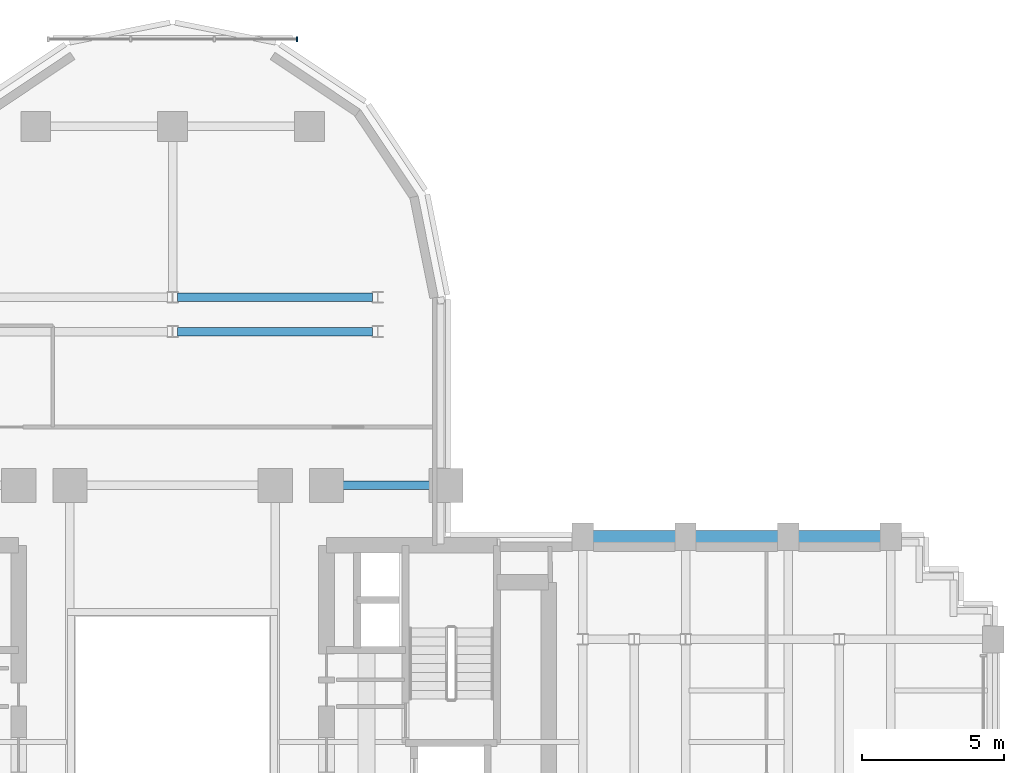
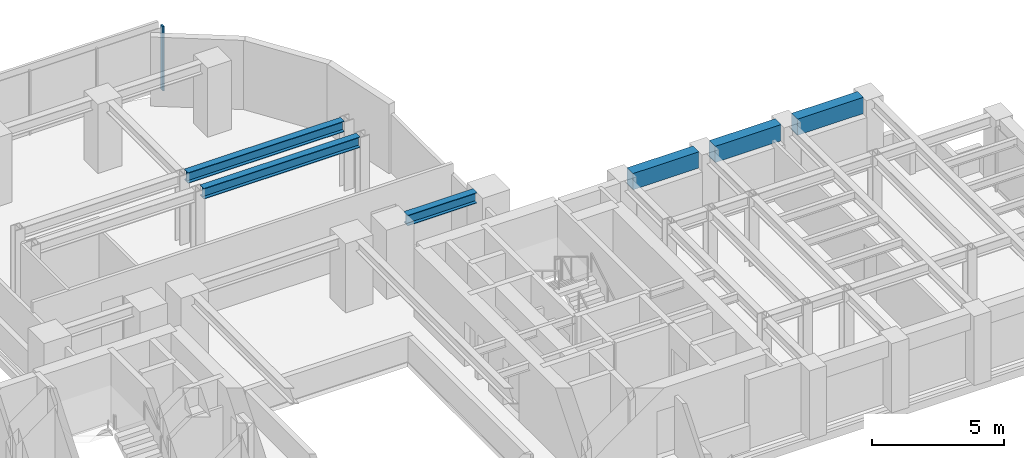
# One storey, part 8 of 16: 6 beams, 1 member, 1 element without a shape of its own.
"""IFC4 building model written with IfcOpenShell, lengths in metres."""

from ifc_helpers import new_model, si_unit, direction, frame, origin, origin_2d, place, context, subcontext, project, spatial, rectangle, i_section, extrude, source, transform, mapped, material, material_profile, profile_set, type_object, element, aggregate, save


model = new_model("IFC4")

# Units and contexts
model_context = context("Model", 3, precision=1e-05, world=origin(), true_north=direction((0.0, 1.0)))
body_context = subcontext(model_context, "Body", "Model", "MODEL_VIEW")
ifc_project = project(units=[si_unit("LENGTHUNIT", "METRE"), si_unit("AREAUNIT", "SQUARE_METRE"), si_unit("VOLUMEUNIT", "CUBIC_METRE"), si_unit("PLANEANGLEUNIT", "RADIAN"), si_unit("MASSUNIT", "GRAM", prefix="KILO")], contexts=[model_context])

# Site, building, storey
site_placement = place(None, origin())
site = spatial("IfcSite", under=ifc_project, at=site_placement, CompositionType="ELEMENT")
building_placement = place(site_placement, origin())
building = spatial("IfcBuilding", under=site, at=building_placement, Name="Keilestroom Media Tower", CompositionType="ELEMENT")
storey_placement = place(building_placement, frame((0.0, 0.0, 54.39990234375)))
storey = spatial("IfcBuildingStorey", under=building, at=storey_placement, Name="L13", CompositionType="ELEMENT", Elevation=54.39990234375)

# Beams
ifc_material_1 = material(Name="Precast concrete C40/50", Category="concrete")
ifc_material_profile_1 = material_profile(ifc_material_1, rectangle(XDim=0.449951171875, YDim=0.75, at=origin_2d()), Name="PC 450x750")
ifc_profile_set_1 = profile_set([ifc_material_profile_1], Name="Precast concrete C40/50")
beam_type_1 = type_object("IfcBeamType", Name="Perimeter-Spandrel-Beam-PC-450x750", PredefinedType="SPANDREL", material=ifc_profile_set_1)
shared_shape_1 = source(origin(), body_context, "Body", "SweptSolid", [
    extrude(rectangle(XDim=0.449951171875, YDim=0.75, at=origin_2d()), origin(), (0.0, 0.0, 1.0), 2.889892578125),
])
beam_1_placement = place(storey_placement, frame((21.955078125, 7.199951171875, 2.8251953125), z_axis=(1.0, 0.0, 0.0), x_axis=(0.0, 1.0, 0.0)))
element("IfcBeam", 1, at=beam_1_placement, inside=storey, type_object=beam_type_1, Name="L13 Beam SPB-1 BM-L13-EW-039", PredefinedType="SPANDREL", context=body_context, shape_type="MappedRepresentation", body=[
    mapped(shared_shape_1, transform((0.0, 0.0, 0.0), x_axis=(1.0, 0.0, 0.0), y_axis=(0.0, 1.0, 0.0), z_axis=(0.0, 0.0, 1.0), scale=1.0)),
])
shared_shape_2 = source(origin(), body_context, "Body", "SweptSolid", [
    extrude(rectangle(XDim=0.449951171875, YDim=0.75, at=origin_2d()), origin(), (0.0, 0.0, 1.0), 2.89013671875),
])
for number, where, z_axis, x_axis, name in (
    (2, (14.7548828125, 7.199951171875, 2.8251953125), (1.0, 0.0, 0.0), (0.0, 1.0, 0.0), "L13 Beam SPB-1 BM-L13-EW-037"),
    (3, (18.35498046875, 7.199951171875, 2.8251953125), (1.0, 0.0, 0.0), (0.0, 1.0, 0.0), "L13 Beam SPB-1 BM-L13-EW-038"),
):
    element("IfcBeam", number, at=place(storey_placement, frame(where, z_axis=z_axis, x_axis=x_axis)), inside=storey, type_object=beam_type_1, Name=name, PredefinedType="SPANDREL", context=body_context, shape_type="MappedRepresentation", body=[
        mapped(shared_shape_2, transform((0.0, 0.0, 0.0), x_axis=(1.0, 0.0, 0.0), y_axis=(0.0, 1.0, 0.0), z_axis=(0.0, 0.0, 1.0), scale=1.0)),
    ])
ifc_material_2 = material(Name="Steel S355", Category="steel")
ifc_material_profile_2 = material_profile(ifc_material_2, i_section(OverallWidth=0.300048828125, OverallDepth=0.489990234375, WebThickness=0.011962890625, FlangeThickness=0.02294921875, at=origin_2d()), Name="HEA 500")
ifc_profile_set_2 = profile_set([ifc_material_profile_2], Name="Steel S355")
beam_type_2 = type_object("IfcBeamType", Name="Primary-Structural-Girder-HEA-500", PredefinedType="BEAM", material=ifc_profile_set_2)
shared_shape_3 = source(origin(), body_context, "Body", "SweptSolid", [
    extrude(i_section(OverallWidth=0.300048828125, OverallDepth=0.489990234375, WebThickness=0.011962890625, FlangeThickness=0.02294921875, at=origin_2d()), origin(), (0.0, 0.0, 1.0), 6.836181640625),
])
for number, where, z_axis, x_axis, name in (
    (4, (0.181884765625, 14.39990234375, 2.955078125), (1.0, 0.0, 0.0), (0.0, 1.0, 0.0), "L13 Beam BG-10 BM-L13-EW-046"),
    (5, (0.181884765625, 15.60009765625, 2.955078125), (1.0, 0.0, 0.0), (0.0, 1.0, 0.0), "L13 Beam BG-10 BM-L13-EW-048"),
):
    element("IfcBeam", number, at=place(storey_placement, frame(where, z_axis=z_axis, x_axis=x_axis)), inside=storey, type_object=beam_type_2, Name=name, PredefinedType="BEAM", context=body_context, shape_type="MappedRepresentation", body=[
        mapped(shared_shape_3, transform((0.0, 0.0, 0.0), x_axis=(1.0, 0.0, 0.0), y_axis=(0.0, 1.0, 0.0), z_axis=(0.0, 0.0, 1.0), scale=1.0)),
    ])
shared_shape_4 = source(origin(), body_context, "Body", "SweptSolid", [
    extrude(i_section(OverallWidth=0.300048828125, OverallDepth=0.489990234375, WebThickness=0.011962890625, FlangeThickness=0.02294921875, at=origin_2d()), origin(), (0.0, 0.0, 1.0), 3.0400390625),
])
beam_2_placement = place(storey_placement, frame((5.97998046875, 9.0, 2.955078125), z_axis=(1.0, 0.0, 0.0), x_axis=(0.0, 1.0, 0.0)))
element("IfcBeam", 6, at=beam_2_placement, inside=storey, type_object=beam_type_2, Name="L13 Beam BG-10 BM-L13-EW-044", PredefinedType="BEAM", context=body_context, shape_type="MappedRepresentation", body=[
    mapped(shared_shape_4, transform((0.0, 0.0, 0.0), x_axis=(1.0, 0.0, 0.0), y_axis=(0.0, 1.0, 0.0), z_axis=(0.0, 0.0, 1.0), scale=1.0)),
])

# Curtain wall, member
ifc_material_3 = material(Name="Anodised Aluminium Alloy", Category="aluminium")
curtain_wall_type = type_object("IfcCurtainWallType", Name="Unitised-Curtain-Wall-CW-6", PredefinedType="NOTDEFINED", material=ifc_material_3)
curtain_wall_placement = place(storey_placement, origin())
curtain_wall = element("IfcCurtainWall", 7, at=curtain_wall_placement, inside=storey, type_object=curtain_wall_type, Name="L13 Curtain Wall CW-6 CW-L13-LN-1", PredefinedType="NOTDEFINED")
ifc_material_profile_3 = material_profile(ifc_material_3, rectangle(XDim=0.06494140625, YDim=0.179931640625, at=origin_2d()), Name="ALU MULLION 65x180")
ifc_profile_set_3 = profile_set([ifc_material_profile_3], Name="Anodised Aluminium Alloy")
member_type = type_object("IfcMemberType", Name="Curtain-Wall-Mullion-CW-6", PredefinedType="MULLION", material=ifc_profile_set_3)
shared_shape_5 = source(origin(), body_context, "Body", "SweptSolid", [
    extrude(rectangle(XDim=0.06494140625, YDim=0.179931640625, at=origin_2d()), origin(), (0.0, 0.0, 1.0), 2.97998046875),
])
member_placement = place(storey_placement, frame((4.367431640625, 24.64990234375, 0.0), z_axis=(0.0, 0.0, 1.0), x_axis=(1.0, 0.0, 0.0)))
member = element("IfcMember", 8, at=member_placement, type_object=member_type, Name="CW-6 Mullion 03", PredefinedType="MULLION", context=body_context, shape_type="MappedRepresentation", body=[
    mapped(shared_shape_5, transform((0.0, 0.0, 0.0), x_axis=(1.0, 0.0, 0.0), y_axis=(0.0, 1.0, 0.0), z_axis=(0.0, 0.0, 1.0), scale=1.0)),
])
aggregate(curtain_wall, [member])

save(model, "model.ifc")
